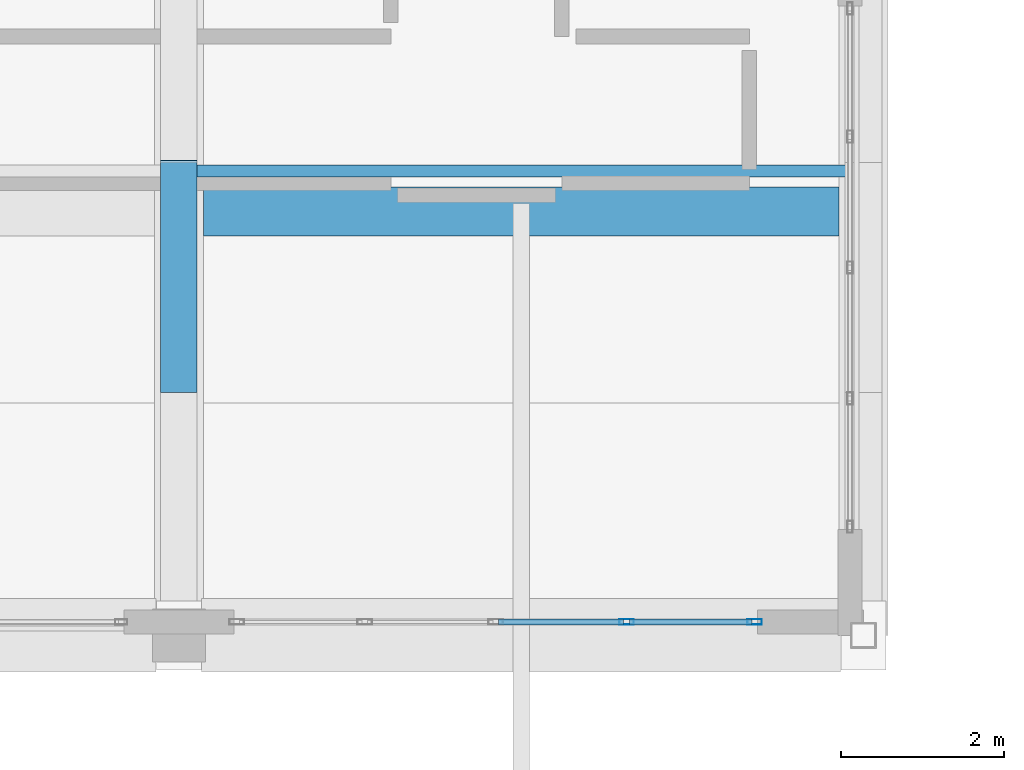
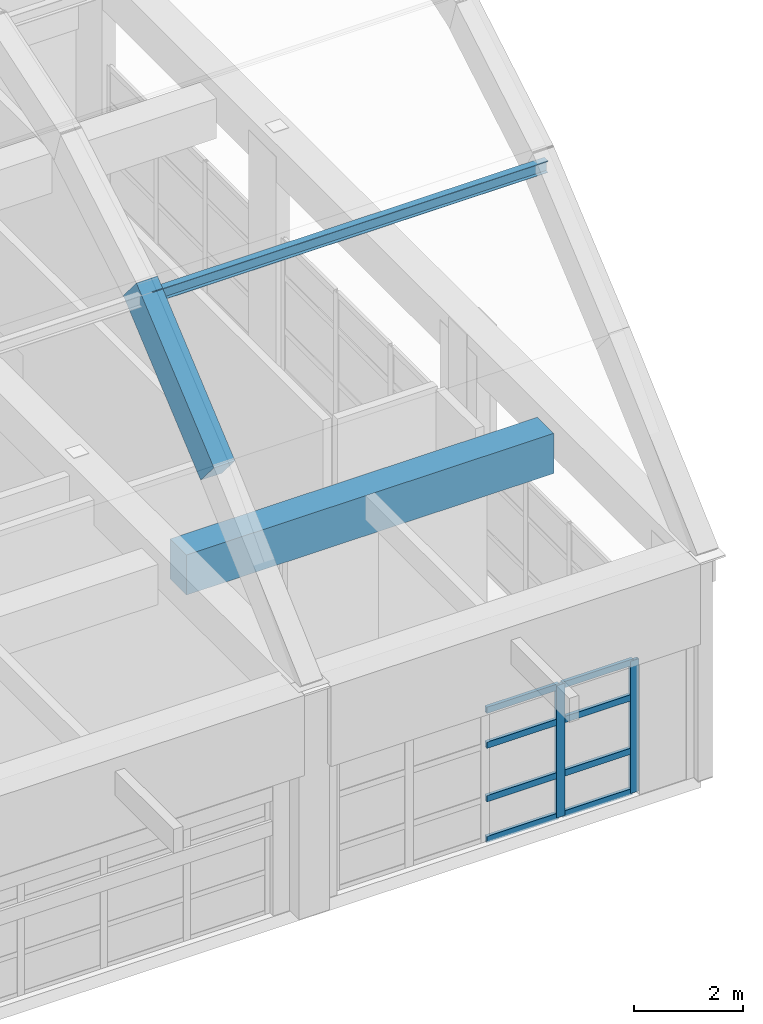
# One storey, part 48 of 103: 11 members, 2 beams, 1 element without a shape of its own.
"""IFC4 building model written with IfcOpenShell, lengths in metres."""

from ifc_helpers import new_model, si_unit, direction, frame, origin, origin_2d, place, context, subcontext, project, spatial, rectangle, hollow_rectangle, i_section, extrude, material, layer, layer_set, material_profile, profile_set, type_object, element, aggregate, save


model = new_model("IFC4")

# Units and contexts
model_context = context("Model", 3, precision=1e-05, world=origin(), true_north=direction((0.0, 1.0)))
body_context = subcontext(model_context, "Body", "Model", "MODEL_VIEW")
ifc_project = project(units=[si_unit("LENGTHUNIT", "METRE"), si_unit("AREAUNIT", "SQUARE_METRE"), si_unit("VOLUMEUNIT", "CUBIC_METRE"), si_unit("PLANEANGLEUNIT", "RADIAN"), si_unit("MASSUNIT", "GRAM", prefix="KILO")], contexts=[model_context])

# Site, building, storey
site_placement = place(None, origin())
site = spatial("IfcSite", under=ifc_project, at=site_placement, CompositionType="ELEMENT")
building_placement = place(site_placement, origin())
building = spatial("IfcBuilding", under=site, at=building_placement, Name="Quendrovan Civic Courthouse", CompositionType="ELEMENT")
storey_placement = place(building_placement, frame((0.0, 0.0, 15.300048828125)))
storey = spatial("IfcBuildingStorey", under=building, at=storey_placement, Name="L04", CompositionType="ELEMENT", Elevation=15.300048828125)

# Beams
ifc_material_1 = material(Name="Concrete C40/50", Category="concrete")
ifc_material_profile_1 = material_profile(ifc_material_1, rectangle(XDim=0.60009765625, YDim=0.89990234375, at=origin_2d()), Name="RC-BM-600x900")
ifc_profile_set_1 = profile_set([ifc_material_profile_1], Name="Concrete C40/50")
beam_type_1 = type_object("IfcBeamType", Name="BM-RC900", PredefinedType="BEAM", material=ifc_profile_set_1)
beam_1_placement = place(storey_placement, frame((84.300048828125, 70.0, 4.349853515625), z_axis=(1.0, 0.0, 0.0), x_axis=(0.0, 1.0, 0.0)))
element("IfcBeam", 1, at=beam_1_placement, inside=storey, type_object=beam_type_1, Name="BV2 Eave Backspan Collector Beam S-B7", PredefinedType="BEAM", context=body_context, shape_type="SweptSolid", body=[
    extrude(rectangle(XDim=0.60009765625, YDim=0.89990234375, at=origin_2d()), origin(), (0.0, 0.0, 1.0), 7.800048828125),
])
ifc_material_profile_2 = material_profile(ifc_material_1, rectangle(XDim=0.449951171875, YDim=0.75, at=origin_2d()), Name="RC-VRIB-450x750")
ifc_profile_set_2 = profile_set([ifc_material_profile_2], Name="Concrete C40/50")
beam_type_2 = type_object("IfcBeamType", Name="BM-VRIB750", PredefinedType="BEAM", material=ifc_profile_set_2)
beam_2_placement = place(storey_placement, frame((84.0, 68.022216796875, 7.818603515625), z_axis=(0.0, 0.762391958025, 0.647115524724), x_axis=(-1.0, 0.0, 0.0)))
element("IfcBeam", 2, at=beam_2_placement, inside=storey, type_object=beam_type_2, Name="BV2 Concrete Vault Arch Rib A7-C2", PredefinedType="BEAM", context=body_context, shape_type="SweptSolid", body=[
    extrude(rectangle(XDim=0.449951171875, YDim=0.75, at=origin_2d()), origin(), (0.0, 0.0, 1.0), 3.738037109375),
])

# Curtain wall, members
ifc_material_2 = material(Name="Bronze anodised aluminium and low-E glass", Category="aluminium")
ifc_layer = layer(ifc_material_2, 0.179931640625, Name="Bronze anodised aluminium and low-E glass")
ifc_layer_set = layer_set([ifc_layer], Name="Bronze anodised aluminium and low-E glass")
curtain_wall_type = type_object("IfcCurtainWallType", Name="CW-U64x30", PredefinedType="USERDEFINED", material=ifc_layer_set)
curtain_wall_placement = place(storey_placement, origin())
curtain_wall = element("IfcCurtainWall", 3, at=curtain_wall_placement, inside=storey, type_object=curtain_wall_type, Name="L04 Unitised Hurricane Curtain Wall CW-158", ObjectType="UNITISED CURTAIN WALL", PredefinedType="USERDEFINED")
ifc_material_3 = material(Name="Bronze anodised aluminium", Category="aluminium")
ifc_material_profile_3 = material_profile(ifc_material_3, hollow_rectangle(XDim=0.070068359375, YDim=0.179931640625, WallThickness=0.00390625, at=origin_2d()), Name="CW-MULL-70x180")
ifc_profile_set_3 = profile_set([ifc_material_profile_3], Name="Bronze anodised aluminium")
member_type_1 = type_object("IfcMemberType", Name="CW-MULL-A", PredefinedType="MULLION", material=ifc_profile_set_3)
member_1_placement = place(storey_placement, frame((91.06494140625, 64.965087890625, 0.0), z_axis=(0.0, 0.0, 1.0), x_axis=(0.0, -1.0, 0.0)))
member_1 = element("IfcMember", 4, at=member_1_placement, type_object=member_type_1, Name="CW-158 mullion 1", PredefinedType="MULLION", context=body_context, shape_type="SweptSolid", body=[
    extrude(hollow_rectangle(XDim=0.070068359375, YDim=0.179931640625, WallThickness=0.00390625, at=origin_2d()), origin(), (0.0, 0.0, 1.0), 2.969970703125),
])
member_2_placement = place(storey_placement, frame((89.49365234375, 64.965087890625, 0.0), z_axis=(0.0, 0.0, 1.0), x_axis=(0.0, -1.0, 0.0)))
member_2 = element("IfcMember", 5, at=member_2_placement, type_object=member_type_1, Name="CW-158 mullion 2", PredefinedType="MULLION", context=body_context, shape_type="SweptSolid", body=[
    extrude(hollow_rectangle(XDim=0.070068359375, YDim=0.179931640625, WallThickness=0.00390625, at=origin_2d()), origin(), (0.0, 0.0, 1.0), 2.969970703125),
])
ifc_material_profile_4 = material_profile(ifc_material_3, hollow_rectangle(XDim=0.070068359375, YDim=0.139892578125, WallThickness=0.00390625, at=origin_2d()), Name="CW-TRAN-70x140")
ifc_profile_set_4 = profile_set([ifc_material_profile_4], Name="Bronze anodised aluminium")
member_type_2 = type_object("IfcMemberType", Name="CW-TRAN-A", PredefinedType="USERDEFINED", material=ifc_profile_set_4)
member_3_placement = place(storey_placement, frame((91.030029296875, 64.965087890625, 0.034912109375), z_axis=(-1.0, 0.0, 0.0), x_axis=(0.0, -1.0, 0.0)))
member_3 = element("IfcMember", 6, at=member_3_placement, type_object=member_type_2, Name="CW-158 transom 1.1", ObjectType="TRANSOM", PredefinedType="USERDEFINED", context=body_context, shape_type="SweptSolid", body=[
    extrude(hollow_rectangle(XDim=0.070068359375, YDim=0.139892578125, WallThickness=0.00390625, at=origin_2d()), origin(), (0.0, 0.0, 1.0), 1.501220703125),
])
member_4_placement = place(storey_placement, frame((91.030029296875, 64.965087890625, 0.949951171875), z_axis=(-1.0, 0.0, 0.0), x_axis=(0.0, -1.0, 0.0)))
member_4 = element("IfcMember", 7, at=member_4_placement, type_object=member_type_2, Name="CW-158 transom 1.2", ObjectType="TRANSOM", PredefinedType="USERDEFINED", context=body_context, shape_type="SweptSolid", body=[
    extrude(hollow_rectangle(XDim=0.070068359375, YDim=0.139892578125, WallThickness=0.00390625, at=origin_2d()), origin(), (0.0, 0.0, 1.0), 1.501220703125),
])
member_5_placement = place(storey_placement, frame((91.030029296875, 64.965087890625, 2.14990234375), z_axis=(-1.0, 0.0, 0.0), x_axis=(0.0, -1.0, 0.0)))
member_5 = element("IfcMember", 8, at=member_5_placement, type_object=member_type_2, Name="CW-158 transom 1.3", ObjectType="TRANSOM", PredefinedType="USERDEFINED", context=body_context, shape_type="SweptSolid", body=[
    extrude(hollow_rectangle(XDim=0.070068359375, YDim=0.139892578125, WallThickness=0.00390625, at=origin_2d()), origin(), (0.0, 0.0, 1.0), 1.501220703125),
])
member_6_placement = place(storey_placement, frame((91.030029296875, 64.965087890625, 2.93505859375), z_axis=(-1.0, 0.0, 0.0), x_axis=(0.0, -1.0, 0.0)))
member_6 = element("IfcMember", 9, at=member_6_placement, type_object=member_type_2, Name="CW-158 transom 1.4", ObjectType="TRANSOM", PredefinedType="USERDEFINED", context=body_context, shape_type="SweptSolid", body=[
    extrude(hollow_rectangle(XDim=0.070068359375, YDim=0.139892578125, WallThickness=0.00390625, at=origin_2d()), origin(), (0.0, 0.0, 1.0), 1.501220703125),
])
member_7_placement = place(storey_placement, frame((89.458740234375, 64.965087890625, 0.034912109375), z_axis=(-1.0, 0.0, 0.0), x_axis=(0.0, -1.0, 0.0)))
member_7 = element("IfcMember", 10, at=member_7_placement, type_object=member_type_2, Name="CW-158 transom 2.1", ObjectType="TRANSOM", PredefinedType="USERDEFINED", context=body_context, shape_type="SweptSolid", body=[
    extrude(hollow_rectangle(XDim=0.070068359375, YDim=0.139892578125, WallThickness=0.00390625, at=origin_2d()), origin(), (0.0, 0.0, 1.0), 1.5361328125),
])
member_8_placement = place(storey_placement, frame((89.458740234375, 64.965087890625, 0.949951171875), z_axis=(-1.0, 0.0, 0.0), x_axis=(0.0, -1.0, 0.0)))
member_8 = element("IfcMember", 11, at=member_8_placement, type_object=member_type_2, Name="CW-158 transom 2.2", ObjectType="TRANSOM", PredefinedType="USERDEFINED", context=body_context, shape_type="SweptSolid", body=[
    extrude(hollow_rectangle(XDim=0.070068359375, YDim=0.139892578125, WallThickness=0.00390625, at=origin_2d()), origin(), (0.0, 0.0, 1.0), 1.5361328125),
])
member_9_placement = place(storey_placement, frame((89.458740234375, 64.965087890625, 2.14990234375), z_axis=(-1.0, 0.0, 0.0), x_axis=(0.0, -1.0, 0.0)))
member_9 = element("IfcMember", 12, at=member_9_placement, type_object=member_type_2, Name="CW-158 transom 2.3", ObjectType="TRANSOM", PredefinedType="USERDEFINED", context=body_context, shape_type="SweptSolid", body=[
    extrude(hollow_rectangle(XDim=0.070068359375, YDim=0.139892578125, WallThickness=0.00390625, at=origin_2d()), origin(), (0.0, 0.0, 1.0), 1.5361328125),
])
member_10_placement = place(storey_placement, frame((89.458740234375, 64.965087890625, 2.93505859375), z_axis=(-1.0, 0.0, 0.0), x_axis=(0.0, -1.0, 0.0)))
member_10 = element("IfcMember", 13, at=member_10_placement, type_object=member_type_2, Name="CW-158 transom 2.4", ObjectType="TRANSOM", PredefinedType="USERDEFINED", context=body_context, shape_type="SweptSolid", body=[
    extrude(hollow_rectangle(XDim=0.070068359375, YDim=0.139892578125, WallThickness=0.00390625, at=origin_2d()), origin(), (0.0, 0.0, 1.0), 1.5361328125),
])
aggregate(curtain_wall, [member_1, member_2, member_3, member_4, member_5, member_6, member_7, member_8, member_9, member_10])

# Member
ifc_material_4 = material(Name="Steel ASTM A992 Grade 50", Category="steel")
ifc_material_profile_5 = material_profile(ifc_material_4, i_section(OverallWidth=0.14599609375, OverallDepth=0.258056640625, WebThickness=0.006103515625, FlangeThickness=0.009033203125, at=origin_2d()), Name="W250x33")
ifc_profile_set_5 = profile_set([ifc_material_profile_5], Name="Steel ASTM A992 Grade 50")
member_type_3 = type_object("IfcMemberType", Name="MEM-PUR-W250", PredefinedType="PURLIN", material=ifc_profile_set_5)
member_11_placement = place(storey_placement, frame((84.0, 70.5, 10.23583984375), z_axis=(1.0, 0.0, 0.0), x_axis=(0.0, 1.0, 0.0)))
element("IfcMember", 14, at=member_11_placement, inside=storey, type_object=member_type_3, Name="BV2 Vault Longitudinal Purlin B7-1", PredefinedType="PURLIN", context=body_context, shape_type="SweptSolid", body=[
    extrude(i_section(OverallWidth=0.14599609375, OverallDepth=0.258056640625, WebThickness=0.006103515625, FlangeThickness=0.009033203125, at=origin_2d()), origin(), (0.0, 0.0, 1.0), 8.39990234375),
])

save(model, "model.ifc")
